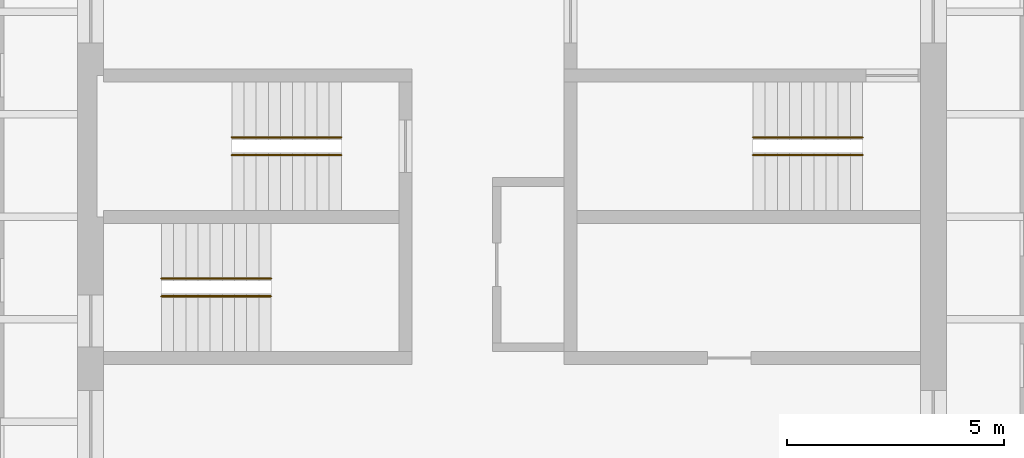
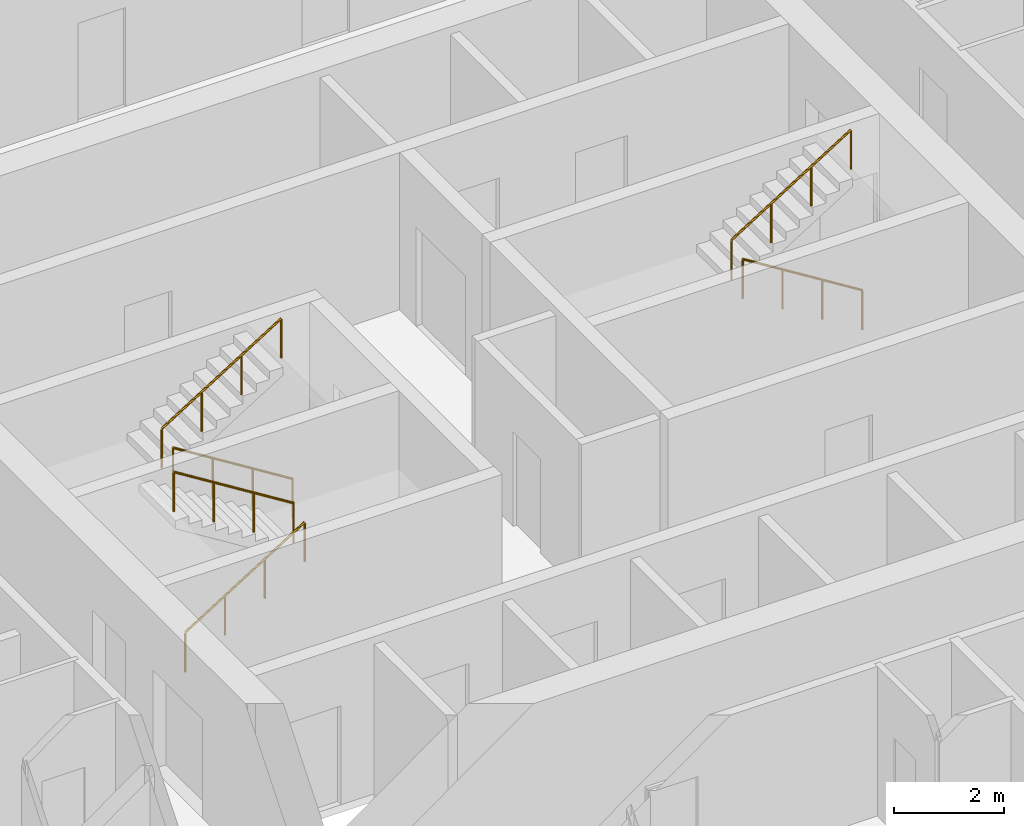
# One storey, part 10 of 10: 6 railings.
"""IFC4 building model written with IfcOpenShell, lengths in metres."""

from ifc_helpers import new_model, si_unit, direction, frame, origin, origin_2d, place, context, subcontext, project, spatial, circle, extrude, material, type_object, element, save


model = new_model("IFC4")

# Units and contexts
model_context = context("Model", 3, precision=1e-05, world=origin(), true_north=direction((0.0, 1.0)))
body_context = subcontext(model_context, "Body", "Model", "MODEL_VIEW")
ifc_project = project(units=[si_unit("LENGTHUNIT", "METRE"), si_unit("AREAUNIT", "SQUARE_METRE"), si_unit("VOLUMEUNIT", "CUBIC_METRE"), si_unit("PLANEANGLEUNIT", "RADIAN"), si_unit("MASSUNIT", "GRAM", prefix="KILO")], contexts=[model_context])

# Site, building, storey
site_placement = place(None, origin())
site = spatial("IfcSite", under=ifc_project, at=site_placement, CompositionType="ELEMENT")
building_placement = place(site_placement, origin())
building = spatial("IfcBuilding", under=site, at=building_placement, Name="Turquesa Mirador Hotel Tower", CompositionType="ELEMENT")
storey_placement = place(building_placement, frame((0.0, 0.0, 179.300048828125)))
storey = spatial("IfcBuildingStorey", under=building, at=storey_placement, Name="L48", CompositionType="ELEMENT", Elevation=179.300048828125)

# Railings
ifc_material = material(Name="Painted steel handrail", Category="steel")
railing_type = type_object("IfcRailingType", Name="HANDRAIL 900 STEEL", PredefinedType="HANDRAIL", material=ifc_material)
railing_1_placement = place(storey_placement, frame((51.070068359375, 46.419921875, 0.175048828125)))
element("IfcRailing", 1, at=railing_1_placement, inside=storey, type_object=railing_type, Name="Handrail ST1", PredefinedType="HANDRAIL", context=body_context, shape_type="SweptSolid", body=[
    extrude(circle(Radius=0.02392578125, at=origin_2d()), frame((0.0, 0.0, 0.8759765625), z_axis=(-0.848007534815, 0.0, 0.529984170421), x_axis=(0.0, -1.0, 0.0)), (0.0, 0.0, 1.0), 2.9716796875),
    extrude(circle(Radius=0.02099609375, at=origin_2d()), origin(), (0.0, 0.0, 1.0), 0.851806640625),
    extrude(circle(Radius=0.02099609375, at=origin_2d()), frame((-0.840087890625, 0.0, 0.52490234375)), (0.0, 0.0, 1.0), 0.851806640625),
    extrude(circle(Radius=0.02099609375, at=origin_2d()), frame((-1.679931640625, 0.0, 1.050048828125)), (0.0, 0.0, 1.0), 0.851806640625),
    extrude(circle(Radius=0.02099609375, at=origin_2d()), frame((-2.52001953125, 0.0, 1.574951171875)), (0.0, 0.0, 1.0), 0.851806640625),
])
for number, where, name in (
    (2, (48.550048828125, 46.830078125, 1.925048828125), "Handrail ST1"),
    (3, (46.929931640625, 43.169921875, 0.175048828125), "Handrail ST2"),
):
    element("IfcRailing", number, at=place(storey_placement, frame(where)), inside=storey, type_object=railing_type, Name=name, PredefinedType="HANDRAIL", context=body_context, shape_type="SweptSolid", body=[
        extrude(circle(Radius=0.02392578125, at=origin_2d()), frame((0.0, 0.0, 0.8759765625), z_axis=(0.848007534815, 0.0, 0.529984170421), x_axis=(0.0, 1.0, 0.0)), (0.0, 0.0, 1.0), 2.9716796875),
        extrude(circle(Radius=0.02099609375, at=origin_2d()), origin(), (0.0, 0.0, 1.0), 0.851806640625),
        extrude(circle(Radius=0.02099609375, at=origin_2d()), frame((0.840087890625, 0.0, 0.52490234375)), (0.0, 0.0, 1.0), 0.851806640625),
        extrude(circle(Radius=0.02099609375, at=origin_2d()), frame((1.679931640625, 0.0, 1.050048828125)), (0.0, 0.0, 1.0), 0.851806640625),
        extrude(circle(Radius=0.02099609375, at=origin_2d()), frame((2.52001953125, 0.0, 1.574951171875)), (0.0, 0.0, 1.0), 0.851806640625),
    ])
for number, where, name in (
    (4, (49.449951171875, 43.580078125, 1.925048828125), "Handrail ST2"),
    (5, (63.070068359375, 46.419921875, 0.175048828125), "Handrail ST3"),
):
    element("IfcRailing", number, at=place(storey_placement, frame(where)), inside=storey, type_object=railing_type, Name=name, PredefinedType="HANDRAIL", context=body_context, shape_type="SweptSolid", body=[
        extrude(circle(Radius=0.02392578125, at=origin_2d()), frame((0.0, 0.0, 0.8759765625), z_axis=(-0.848007534815, 0.0, 0.529984170421), x_axis=(0.0, -1.0, 0.0)), (0.0, 0.0, 1.0), 2.9716796875),
        extrude(circle(Radius=0.02099609375, at=origin_2d()), origin(), (0.0, 0.0, 1.0), 0.851806640625),
        extrude(circle(Radius=0.02099609375, at=origin_2d()), frame((-0.840087890625, 0.0, 0.52490234375)), (0.0, 0.0, 1.0), 0.851806640625),
        extrude(circle(Radius=0.02099609375, at=origin_2d()), frame((-1.679931640625, 0.0, 1.050048828125)), (0.0, 0.0, 1.0), 0.851806640625),
        extrude(circle(Radius=0.02099609375, at=origin_2d()), frame((-2.52001953125, 0.0, 1.574951171875)), (0.0, 0.0, 1.0), 0.851806640625),
    ])
railing_2_placement = place(storey_placement, frame((60.550048828125, 46.830078125, 1.925048828125)))
element("IfcRailing", 6, at=railing_2_placement, inside=storey, type_object=railing_type, Name="Handrail ST3", PredefinedType="HANDRAIL", context=body_context, shape_type="SweptSolid", body=[
    extrude(circle(Radius=0.02392578125, at=origin_2d()), frame((0.0, 0.0, 0.8759765625), z_axis=(0.848007534815, 0.0, 0.529984170421), x_axis=(0.0, 1.0, 0.0)), (0.0, 0.0, 1.0), 2.9716796875),
    extrude(circle(Radius=0.02099609375, at=origin_2d()), origin(), (0.0, 0.0, 1.0), 0.851806640625),
    extrude(circle(Radius=0.02099609375, at=origin_2d()), frame((0.840087890625, 0.0, 0.52490234375)), (0.0, 0.0, 1.0), 0.851806640625),
    extrude(circle(Radius=0.02099609375, at=origin_2d()), frame((1.679931640625, 0.0, 1.050048828125)), (0.0, 0.0, 1.0), 0.851806640625),
    extrude(circle(Radius=0.02099609375, at=origin_2d()), frame((2.52001953125, 0.0, 1.574951171875)), (0.0, 0.0, 1.0), 0.851806640625),
])

save(model, "model.ifc")
